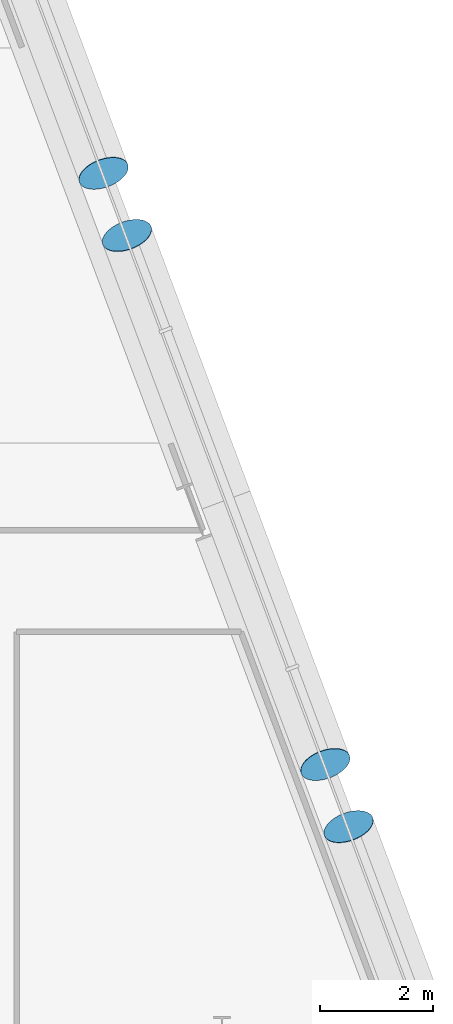
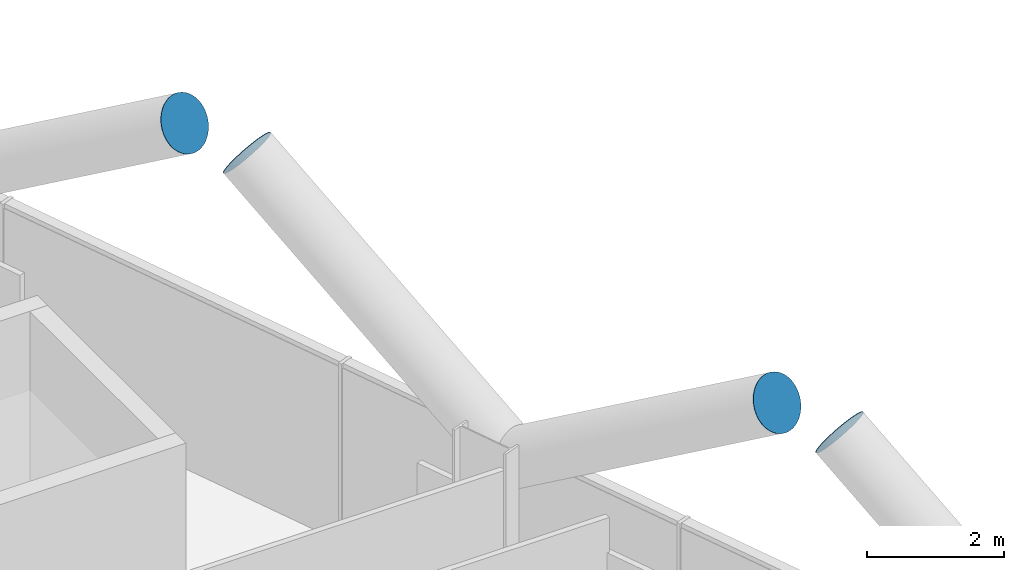
# One storey, part 24 of 28: 4 discrete accessories.
"""IFC4 building model written with IfcOpenShell, lengths in metres."""

import ifcopenshell
import ifcopenshell.guid

model = None  # the IFC model being written
_history = None  # IfcOwnerHistory: only IFC2X3 demands one
_inside = {}  # id of a spatial element -> (the spatial element, [elements in it])
_under = {}  # id of a project, library or spatial element -> (it, [spatial elements below it])
_declared = {}  # id of a project -> (the project, [libraries it declares])
_typed = {}  # id of a type object -> (the type object, [elements of that type])
_made_of = {}  # id of a material, layer set ... -> (it, [elements and type objects made of it])


def new_model(schema):
    """Start an empty IFC model of exactly this schema.

    Asked for "IFC4X3", IfcOpenShell would pick the latest addendum, in which some entities
    have other attributes; the version numbers below select the first issue.
    IFC2X3 requires an IfcOwnerHistory on every rooted entity: one is made here for all.
    """
    global model, _history
    if schema == "IFC4X3":
        model = ifcopenshell.file(schema_version=(4, 3, 0, 0))
    else:
        model = ifcopenshell.file(schema=schema)
    _inside.clear()
    _under.clear()
    _declared.clear()
    _typed.clear()
    _made_of.clear()
    _history = None
    if model.schema == "IFC2X3":
        org = make("IfcOrganization", Name="unknown")
        user = make(
            "IfcPersonAndOrganization",
            ThePerson=make("IfcPerson", FamilyName="unknown"),
            TheOrganization=org,
        )
        app = make(
            "IfcApplication",
            ApplicationDeveloper=org,
            Version="unknown",
            ApplicationFullName="unknown",
            ApplicationIdentifier="unknown",
        )
        _history = make(
            "IfcOwnerHistory",
            OwningUser=user,
            OwningApplication=app,
            ChangeAction="ADDED",
            CreationDate=0,
        )
    return model


def make(cls, **values):
    """One entity of the class cls with the attributes given. An attribute that is None is left unset."""
    return model.create_entity(
        cls, **{name: value for name, value in values.items() if value is not None}
    )


def rooted(cls, **values):
    """An entity with a GlobalId (a new one), such as an element, a storey or a relation."""
    return make(cls, GlobalId=ifcopenshell.guid.new(), OwnerHistory=_history, **values)


def si_unit(unit_type, name, prefix=None):
    """IfcSIUnit, for example si_unit("LENGTHUNIT", "METRE", prefix="MILLI")."""
    return make("IfcSIUnit", UnitType=unit_type, Prefix=prefix, Name=name)


def assignment(units):
    """IfcUnitAssignment: the units of a project."""
    return None if units is None else make("IfcUnitAssignment", Units=units)


def point(xyz):
    """IfcCartesianPoint."""
    return None if xyz is None else make("IfcCartesianPoint", Coordinates=xyz)


def direction(xyz):
    """IfcDirection."""
    return None if xyz is None else make("IfcDirection", DirectionRatios=xyz)


def frame(location, z_axis=None, x_axis=None):
    """IfcAxis2Placement3D, a coordinate frame: its origin and axes. An axis left out is left unset."""
    return make(
        "IfcAxis2Placement3D",
        Location=point(location),
        Axis=direction(z_axis),
        RefDirection=direction(x_axis),
    )


def frame_2d(location, x_axis=None):
    """IfcAxis2Placement2D, a coordinate frame in the plane: its origin and x axis."""
    return make(
        "IfcAxis2Placement2D", Location=point(location), RefDirection=direction(x_axis)
    )


def origin():
    """The frame at (0, 0, 0) with its axes left unset."""
    return frame((0.0, 0.0, 0.0))


def origin_2d():
    """The frame at (0, 0) in the plane with its x axis left unset."""
    return frame_2d((0.0, 0.0))


def place(relative_to, where):
    """IfcLocalPlacement: puts the frame where relative to a parent placement (None: the world)."""
    return make(
        "IfcLocalPlacement", PlacementRelTo=relative_to, RelativePlacement=where
    )


def context(
    kind, dimensions, precision=None, world=None, true_north=None, identifier=None
):
    """IfcGeometricRepresentationContext, for example the 3D "Model" context."""
    return make(
        "IfcGeometricRepresentationContext",
        ContextIdentifier=identifier,
        ContextType=kind,
        CoordinateSpaceDimension=dimensions,
        Precision=precision,
        WorldCoordinateSystem=world,
        TrueNorth=true_north,
    )


def subcontext(parent, identifier, kind, view, scale=None):
    """IfcGeometricRepresentationSubContext, for example "Body" below "Model"."""
    return make(
        "IfcGeometricRepresentationSubContext",
        ContextIdentifier=identifier,
        ContextType=kind,
        ParentContext=parent,
        TargetScale=scale,
        TargetView=view,
    )


def project(units=None, contexts=None):
    """IfcProject with its units and contexts."""
    return rooted(
        "IfcProject",
        Name="project",
        RepresentationContexts=contexts,
        UnitsInContext=assignment(units),
    )


def spatial(cls, under=None, at=None, **own):
    """A site, building, storey or space (cls), placed at a placement, below another one or the project."""
    s = rooted(cls, ObjectPlacement=at, **own)
    if under is not None:
        _under.setdefault(under.id(), (under, []))[1].append(s)
    return s


def profile(cls, at=None, kind="AREA", **sizes):
    """A parametric profile (cls). Its sizes go by their IFC names, for example OverallWidth=200.0."""
    return make(cls, ProfileType=kind, Position=at, **sizes)


def circle(**sizes):
    """IfcCircleProfileDef."""
    return profile("IfcCircleProfileDef", **sizes)


def extrude(swept, where, along, depth):
    """IfcExtrudedAreaSolid: the profile swept, set in the frame where, extruded along a direction by depth."""
    return make(
        "IfcExtrudedAreaSolid",
        SweptArea=swept,
        Position=where,
        ExtrudedDirection=direction(along),
        Depth=depth,
    )


def shape(context_of_items, identifier, shape_type, items):
    """IfcShapeRepresentation: the items that make up one representation, for example the "Body"."""
    return make(
        "IfcShapeRepresentation",
        ContextOfItems=context_of_items,
        RepresentationIdentifier=identifier,
        RepresentationType=shape_type,
        Items=items,
    )


def material(Name=None, Category=None):
    """IfcMaterial."""
    return make("IfcMaterial", Name=Name, Category=Category)


def material_profile(
    of_material, cross_section, Name=None, Category=None, Priority=None
):
    """IfcMaterialProfile: a cross section and its material."""
    return make(
        "IfcMaterialProfile",
        Name=Name,
        Material=of_material,
        Profile=cross_section,
        Priority=Priority,
        Category=Category,
    )


def profile_set(profiles, Name=None, composite=None):
    """IfcMaterialProfileSet."""
    return make(
        "IfcMaterialProfileSet",
        Name=Name,
        MaterialProfiles=profiles,
        CompositeProfile=composite,
    )


def made_of(thing, what):
    """Note that an element or type object is made of a material, layer set ...; save() writes the relation."""
    if what is not None:
        _made_of.setdefault(what.id(), (what, []))[1].append(thing)
    return thing


def type_object(cls, material=None, **own):
    """A type object (cls), such as IfcWallType, which elements share."""
    return made_of(rooted(cls, **own), material)


def element(
    cls,
    number,
    at=None,
    inside=None,
    cuts=None,
    type_object=None,
    material=None,
    context=None,
    identifier="Body",
    shape_type=None,
    held_by="IfcProductDefinitionShape",
    body=None,
    shapes=None,
    **own,
):
    """One element of the class cls, such as IfcWall. Its Tag is "e" and its number.

    at: its placement. inside: the storey or other place that contains it. cuts: it is an
    opening in that element (IfcRelVoidsElement). A single representation is given by context,
    identifier, shape_type and body (its items); several are given by shapes. held_by: the class
    of the entity that holds the representations. save() writes the other relations.
    """
    e = rooted(cls, Tag="e%d" % number, ObjectPlacement=at, **own)
    if body is not None:
        shapes = [shape(context, identifier, shape_type, body)]
    if shapes is not None:
        e.Representation = make(held_by, Representations=shapes)
    if inside is not None:
        _inside.setdefault(inside.id(), (inside, []))[1].append(e)
    if cuts is not None:
        rooted(
            "IfcRelVoidsElement", RelatingBuildingElement=cuts, RelatedOpeningElement=e
        )
    if type_object is not None:
        _typed.setdefault(type_object.id(), (type_object, []))[1].append(e)
    return made_of(e, material)


def aggregate(whole, parts):
    """IfcRelAggregates: a whole, such as a stair, and the parts it consists of."""
    return rooted("IfcRelAggregates", RelatingObject=whole, RelatedObjects=parts)


def save(model, path):
    """Write the relations noted so far, then the file.

    IfcRelAggregates (storeys below a building ...), IfcRelContainedInSpatialStructure (elements
    in a storey), IfcRelDefinesByType, IfcRelAssociatesMaterial and IfcRelDeclares: one each for
    every whole, place, type object, material and project.
    """
    for whole, parts in _under.values():
        aggregate(whole, parts)
    for where, things in _inside.values():
        rooted(
            "IfcRelContainedInSpatialStructure",
            RelatedElements=things,
            RelatingStructure=where,
        )
    for kind, things in _typed.values():
        rooted("IfcRelDefinesByType", RelatedObjects=things, RelatingType=kind)
    for what, things in _made_of.values():
        rooted("IfcRelAssociatesMaterial", RelatedObjects=things, RelatingMaterial=what)
    for by, libraries in _declared.values():
        rooted("IfcRelDeclares", RelatingContext=by, RelatedDefinitions=libraries)
    model.write(path)


model = new_model("IFC4")

# Units and contexts
model_context = context("Model", 3, precision=1e-05, world=origin(), true_north=direction((0.0, 1.0)))
body_context = subcontext(model_context, "Body", "Model", "MODEL_VIEW")
ifc_project = project(units=[si_unit("LENGTHUNIT", "METRE"), si_unit("AREAUNIT", "SQUARE_METRE"), si_unit("VOLUMEUNIT", "CUBIC_METRE"), si_unit("PLANEANGLEUNIT", "RADIAN"), si_unit("MASSUNIT", "GRAM", prefix="KILO")], contexts=[model_context])

# Site, building, storey
site_placement = place(None, origin())
site = spatial("IfcSite", under=ifc_project, at=site_placement, CompositionType="ELEMENT")
building_placement = place(site_placement, origin())
building = spatial("IfcBuilding", under=site, at=building_placement, Name="Wharfspan Tower", CompositionType="ELEMENT")
storey_placement = place(building_placement, frame((0.0, 0.0, 59.5)))
storey = spatial("IfcBuildingStorey", under=building, at=storey_placement, Name="L11", CompositionType="ELEMENT", Elevation=59.5)

# Discrete accessories
ifc_material = material(Name="Steel S460NH", Category="steel")
ifc_material_profile = material_profile(ifc_material, circle(Radius=0.457031, at=origin_2d()))
ifc_profile_set = profile_set([ifc_material_profile], Name="Steel S460NH")
discrete_accessory_type = type_object("IfcDiscreteAccessoryType", Name="End plate CHS 914x40", PredefinedType="BRACKET", material=ifc_profile_set)
for number, where, z_axis, x_axis, name in (
    (1, (86.251465, 15.172852, 6.117432), (-0.295241, 0.787309, 0.541275), (-0.936333, -0.351125, 0.0), "End plate CHS 914x40"),
    (2, (85.833008, 16.288574, 6.117432), (0.295241, -0.787309, 0.541275), (0.936333, 0.351125, 0.0), "End plate CHS 914x40"),
    (3, (82.313965, 25.672852, 6.117432), (-0.295241, 0.787309, 0.541275), (-0.936333, -0.351125, 0.0), "End plate CHS 914x40"),
    (4, (81.895508, 26.788574, 6.117432), (0.295241, -0.787309, 0.541275), (0.936333, 0.351125, 0.0), "End plate CHS 914x40"),
):
    element("IfcDiscreteAccessory", number, at=place(storey_placement, frame(where, z_axis=z_axis, x_axis=x_axis)), inside=storey, type_object=discrete_accessory_type, Name=name, PredefinedType="BRACKET", context=body_context, shape_type="SweptSolid", body=[
        extrude(circle(Radius=0.457031, at=origin_2d()), origin(), (0.0, 0.0, 1.0), 0.01001),
    ])

save(model, "model.ifc")
